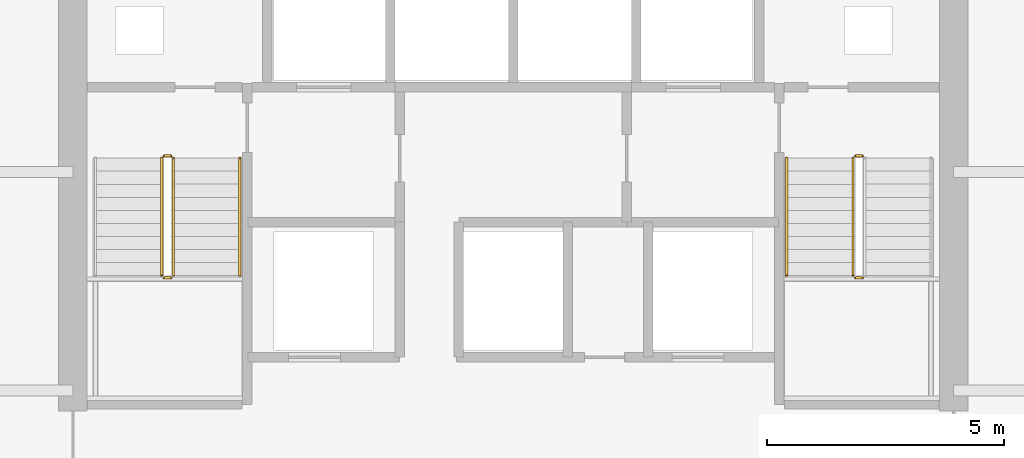
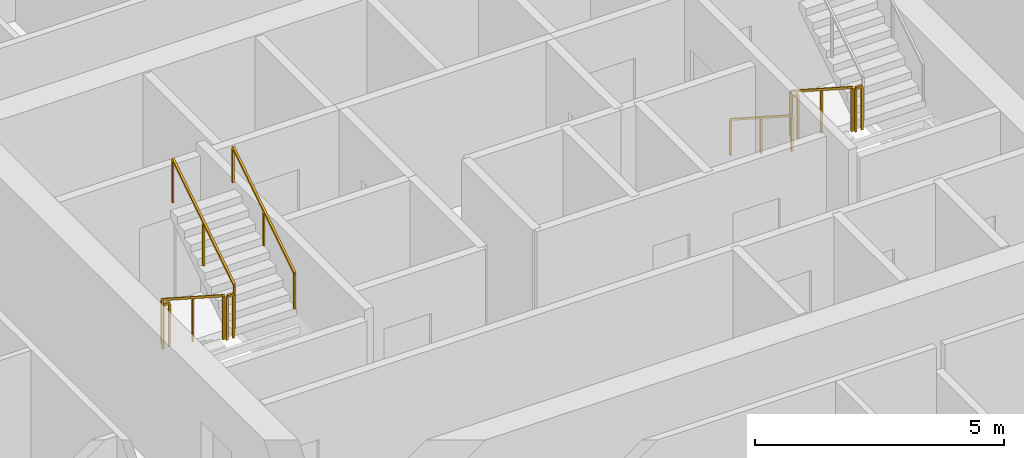
# One storey, part 11 of 12: 9 railings.
"""IFC4 building model written with IfcOpenShell, lengths in metres."""

from ifc_helpers import new_model, si_unit, direction, frame, origin, origin_2d, place, context, subcontext, project, spatial, rectangle, extrude, material, type_object, element, save


model = new_model("IFC4")

# Units and contexts
model_context = context("Model", 3, precision=1e-05, world=origin(), true_north=direction((0.0, 1.0)))
body_context = subcontext(model_context, "Body", "Model", "MODEL_VIEW")
ifc_project = project(units=[si_unit("LENGTHUNIT", "METRE"), si_unit("AREAUNIT", "SQUARE_METRE"), si_unit("VOLUMEUNIT", "CUBIC_METRE"), si_unit("PLANEANGLEUNIT", "RADIAN"), si_unit("MASSUNIT", "GRAM", prefix="KILO")], contexts=[model_context])

# Site, building, storey
site_placement = place(None, origin())
site = spatial("IfcSite", under=ifc_project, at=site_placement, CompositionType="ELEMENT")
building_placement = place(site_placement, origin())
building = spatial("IfcBuilding", under=site, at=building_placement, Name="Cinnabar Lancet Tower", CompositionType="ELEMENT")
storey_placement = place(building_placement, frame((0.0, 0.0, 157.050048828125)))
storey = spatial("IfcBuildingStorey", under=building, at=storey_placement, Name="L41", CompositionType="ELEMENT", Elevation=157.050048828125)

# Railings
ifc_material_1 = material(Name="Painted galvanized steel balustrade", Category="steel")
railing_type_1 = type_object("IfcRailingType", Name="GUARD-STAIR", PredefinedType="GUARDRAIL", material=ifc_material_1)
railing_1_placement = place(storey_placement, frame((24.97509765625, 28.39990234375, 0.177490234375)))
element("IfcRailing", 1, at=railing_1_placement, inside=storey, type_object=railing_type_1, Name="L41 ST-1 stair guard 1", PredefinedType="GUARDRAIL", context=body_context, shape_type="SweptSolid", body=[
    extrude(rectangle(XDim=0.048095703125, YDim=0.048095703125, at=origin_2d()), frame((0.0, 0.0, 1.076171875), z_axis=(0.0, -0.840183358697, 0.542302428327), x_axis=(1.0, 0.0, 0.0)), (0.0, 0.0, 1.0), 2.945556640625),
    extrude(rectangle(XDim=0.0419921875, YDim=0.0419921875, at=origin_2d()), origin(), (0.0, 0.0, 1.0), 1.052001953125),
    extrude(rectangle(XDim=0.0419921875, YDim=0.0419921875, at=origin_2d()), frame((0.0, -1.2373046875, 0.798828125)), (0.0, 0.0, 1.0), 1.052001953125),
    extrude(rectangle(XDim=0.0419921875, YDim=0.0419921875, at=origin_2d()), frame((0.0, -2.474853515625, 1.597412109375)), (0.0, 0.0, 1.0), 1.052001953125),
])
railing_2_placement = place(storey_placement, frame((25.02490234375, 25.875, 1.77490234375)))
element("IfcRailing", 2, at=railing_2_placement, inside=storey, type_object=railing_type_1, Name="L41 ST-1 stair guard 2", PredefinedType="GUARDRAIL", context=body_context, shape_type="SweptSolid", body=[
    extrude(rectangle(XDim=0.048095703125, YDim=0.048095703125, at=origin_2d()), frame((0.0, 0.0, 1.076171875), z_axis=(1.0, 0.0, 0.0), x_axis=(0.0, 1.0, 0.0)), (0.0, 0.0, 1.0), 0.150146484375),
    extrude(rectangle(XDim=0.0419921875, YDim=0.0419921875, at=origin_2d()), origin(), (0.0, 0.0, 1.0), 1.052001953125),
    extrude(rectangle(XDim=0.0419921875, YDim=0.0419921875, at=origin_2d()), frame((0.150146484375, 0.0, 0.0)), (0.0, 0.0, 1.0), 1.052001953125),
])
railing_3_placement = place(storey_placement, frame((25.22509765625, 25.925048828125, 1.952392578125)))
element("IfcRailing", 3, at=railing_3_placement, inside=storey, type_object=railing_type_1, Name="L41 ST-1 stair guard 3", PredefinedType="GUARDRAIL", context=body_context, shape_type="SweptSolid", body=[
    extrude(rectangle(XDim=0.048095703125, YDim=0.048095703125, at=origin_2d()), frame((0.0, 0.0, 1.076171875), z_axis=(0.0, 0.84014559416, 0.542360932049), x_axis=(-1.0, 0.0, 0.0)), (0.0, 0.0, 1.0), 2.94580078125),
    extrude(rectangle(XDim=0.0419921875, YDim=0.0419921875, at=origin_2d()), origin(), (0.0, 0.0, 1.0), 1.052001953125),
    extrude(rectangle(XDim=0.0419921875, YDim=0.0419921875, at=origin_2d()), frame((0.0, 1.2373046875, 0.798828125)), (0.0, 0.0, 1.0), 1.052001953125),
    extrude(rectangle(XDim=0.0419921875, YDim=0.0419921875, at=origin_2d()), frame((0.0, 2.474853515625, 1.59765625)), (0.0, 0.0, 1.0), 1.052001953125),
])
railing_4_placement = place(storey_placement, frame((25.02490234375, 28.449951171875, 0.0)))
element("IfcRailing", 4, at=railing_4_placement, inside=storey, type_object=railing_type_1, Name="L41 ST-1 stair guard 4", PredefinedType="GUARDRAIL", context=body_context, shape_type="SweptSolid", body=[
    extrude(rectangle(XDim=0.048095703125, YDim=0.048095703125, at=origin_2d()), frame((0.0, 0.0, 1.076171875), z_axis=(1.0, 0.0, 0.0), x_axis=(0.0, 1.0, 0.0)), (0.0, 0.0, 1.0), 0.150146484375),
    extrude(rectangle(XDim=0.0419921875, YDim=0.0419921875, at=origin_2d()), origin(), (0.0, 0.0, 1.0), 1.052001953125),
    extrude(rectangle(XDim=0.0419921875, YDim=0.0419921875, at=origin_2d()), frame((0.150146484375, 0.0, 0.0)), (0.0, 0.0, 1.0), 1.052001953125),
])
railing_5_placement = place(storey_placement, frame((39.574951171875, 28.39990234375, 0.177490234375)))
element("IfcRailing", 5, at=railing_5_placement, inside=storey, type_object=railing_type_1, Name="L41 ST-2 stair guard 1", PredefinedType="GUARDRAIL", context=body_context, shape_type="SweptSolid", body=[
    extrude(rectangle(XDim=0.048095703125, YDim=0.048095703125, at=origin_2d()), frame((0.0, 0.0, 1.076171875), z_axis=(0.0, -0.840183358697, 0.542302428327), x_axis=(1.0, 0.0, 0.0)), (0.0, 0.0, 1.0), 2.945556640625),
    extrude(rectangle(XDim=0.0419921875, YDim=0.0419921875, at=origin_2d()), origin(), (0.0, 0.0, 1.0), 1.052001953125),
    extrude(rectangle(XDim=0.0419921875, YDim=0.0419921875, at=origin_2d()), frame((0.0, -1.2373046875, 0.798828125)), (0.0, 0.0, 1.0), 1.052001953125),
    extrude(rectangle(XDim=0.0419921875, YDim=0.0419921875, at=origin_2d()), frame((0.0, -2.474853515625, 1.597412109375)), (0.0, 0.0, 1.0), 1.052001953125),
])
for number, where, name in (
    (6, (39.625, 25.875, 1.77490234375), "L41 ST-2 stair guard 2"),
    (7, (39.625, 28.449951171875, 0.0), "L41 ST-2 stair guard 4"),
):
    element("IfcRailing", number, at=place(storey_placement, frame(where)), inside=storey, type_object=railing_type_1, Name=name, PredefinedType="GUARDRAIL", context=body_context, shape_type="SweptSolid", body=[
        extrude(rectangle(XDim=0.048095703125, YDim=0.048095703125, at=origin_2d()), frame((0.0, 0.0, 1.076171875), z_axis=(1.0, 0.0, 0.0), x_axis=(0.0, 1.0, 0.0)), (0.0, 0.0, 1.0), 0.14990234375),
        extrude(rectangle(XDim=0.0419921875, YDim=0.0419921875, at=origin_2d()), origin(), (0.0, 0.0, 1.0), 1.052001953125),
        extrude(rectangle(XDim=0.0419921875, YDim=0.0419921875, at=origin_2d()), frame((0.14990234375, 0.0, 0.0)), (0.0, 0.0, 1.0), 1.052001953125),
    ])
ifc_material_2 = material(Name="Brushed stainless steel handrail", Category="steel")
railing_type_2 = type_object("IfcRailingType", Name="HANDRAIL-STAIR", PredefinedType="HANDRAIL", material=ifc_material_2)
railing_6_placement = place(storey_placement, frame((26.625, 25.925048828125, 1.952392578125)))
element("IfcRailing", 8, at=railing_6_placement, inside=storey, type_object=railing_type_2, Name="L41 ST-1 stair handrail 2", PredefinedType="HANDRAIL", context=body_context, shape_type="SweptSolid", body=[
    extrude(rectangle(XDim=0.048095703125, YDim=0.048095703125, at=origin_2d()), frame((0.0, 0.0, 0.8759765625), z_axis=(0.0, 0.84014559416, 0.542360932049), x_axis=(-1.0, 0.0, 0.0)), (0.0, 0.0, 1.0), 2.94580078125),
    extrude(rectangle(XDim=0.0419921875, YDim=0.0419921875, at=origin_2d()), origin(), (0.0, 0.0, 1.0), 0.851806640625),
    extrude(rectangle(XDim=0.0419921875, YDim=0.0419921875, at=origin_2d()), frame((0.0, 1.2373046875, 0.798828125)), (0.0, 0.0, 1.0), 0.851806640625),
    extrude(rectangle(XDim=0.0419921875, YDim=0.0419921875, at=origin_2d()), frame((0.0, 2.474853515625, 1.59765625)), (0.0, 0.0, 1.0), 0.851806640625),
])
railing_7_placement = place(storey_placement, frame((38.175048828125, 28.39990234375, 0.177490234375)))
element("IfcRailing", 9, at=railing_7_placement, inside=storey, type_object=railing_type_2, Name="L41 ST-2 stair handrail 1", PredefinedType="HANDRAIL", context=body_context, shape_type="SweptSolid", body=[
    extrude(rectangle(XDim=0.048095703125, YDim=0.048095703125, at=origin_2d()), frame((0.0, 0.0, 0.8759765625), z_axis=(0.0, -0.840183358697, 0.542302428327), x_axis=(1.0, 0.0, 0.0)), (0.0, 0.0, 1.0), 2.945556640625),
    extrude(rectangle(XDim=0.0419921875, YDim=0.0419921875, at=origin_2d()), origin(), (0.0, 0.0, 1.0), 0.851806640625),
    extrude(rectangle(XDim=0.0419921875, YDim=0.0419921875, at=origin_2d()), frame((0.0, -1.2373046875, 0.798828125)), (0.0, 0.0, 1.0), 0.851806640625),
    extrude(rectangle(XDim=0.0419921875, YDim=0.0419921875, at=origin_2d()), frame((0.0, -2.474853515625, 1.597412109375)), (0.0, 0.0, 1.0), 0.851806640625),
])

save(model, "model.ifc")
